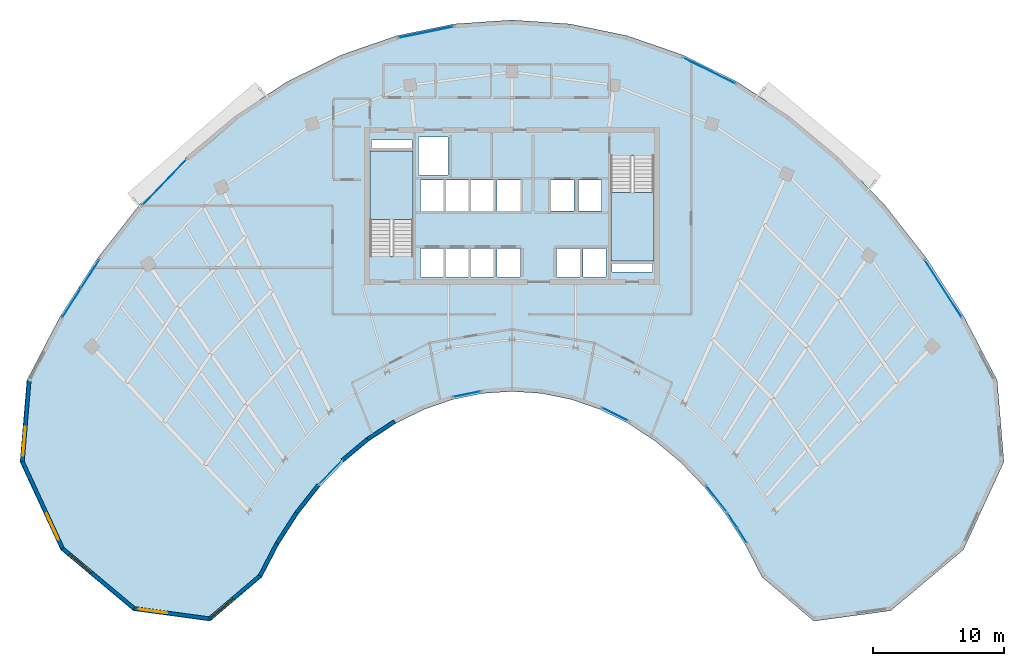
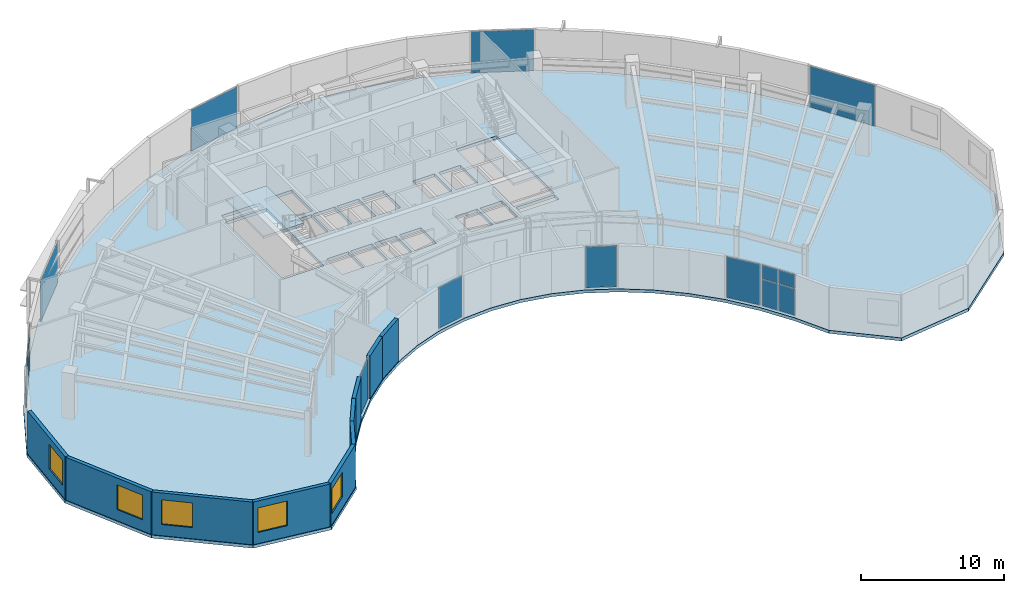
# One storey, part 7 of 13: 16 plates, 10 walls, 5 windows, 3 slabs, 5 openings, 12 elements without a shape of their own.
"""IFC4 building model written with IfcOpenShell, lengths in metres."""

from ifc_helpers import new_model, si_unit, direction, frame, frame_2d, origin, origin_2d, place, context, subcontext, project, spatial, polyline, rectangle, outline, extrude, source, transform, mapped, material, layer, layer_set, type_object, type_shapes, element, fill, aggregate, save


model = new_model("IFC4")

# Units and contexts
model_context = context("Model", 3, precision=1e-05, world=origin(), true_north=direction((0.0, 1.0)))
body_context = subcontext(model_context, "Body", "Model", "MODEL_VIEW")
ifc_project = project(units=[si_unit("LENGTHUNIT", "METRE"), si_unit("AREAUNIT", "SQUARE_METRE"), si_unit("VOLUMEUNIT", "CUBIC_METRE"), si_unit("PLANEANGLEUNIT", "RADIAN"), si_unit("MASSUNIT", "GRAM", prefix="KILO")], contexts=[model_context])

# Site, building, storey
site_placement = place(None, origin())
site = spatial("IfcSite", under=ifc_project, at=site_placement, CompositionType="ELEMENT")
building_placement = place(site_placement, origin())
building = spatial("IfcBuilding", under=site, at=building_placement, Name="Breltana Convention Tower", CompositionType="ELEMENT")
storey_placement = place(building_placement, frame((0.0, 0.0, 204.0)))
storey = spatial("IfcBuildingStorey", under=building, at=storey_placement, Name="L49", CompositionType="ELEMENT", Elevation=204.0)

# Stair, slab
ifc_material_1 = material(Name="Concrete C40/50", Category="concrete")
stair_type = type_object("IfcStairType", Name="ST-DOG-1560-R177", PredefinedType="HALF_TURN_STAIR", material=ifc_material_1)
stair_1_placement = place(storey_placement, origin())
stair_1 = element("IfcStair", 1, at=stair_1_placement, inside=storey, type_object=stair_type, Name="L49 Protected Core Exit Stair ST-1", PredefinedType="HALF_TURN_STAIR")
ifc_layer_1 = layer(ifc_material_1, 0.199951171875, Name="Concrete C40/50")
ifc_layer_set_1 = layer_set([ifc_layer_1], Name="Concrete C40/50")
slab_type_1 = type_object("IfcSlabType", Name="SL-STAIR-LANDING-200", PredefinedType="LANDING", material=ifc_layer_set_1)
slab_1_placement = place(storey_placement, frame((0.0, 0.0, 1.75)))
slab_1 = element("IfcSlab", 2, at=slab_1_placement, type_object=slab_type_1, Name="ST-1 landing 1", PredefinedType="LANDING", context=body_context, shape_type="SweptSolid", body=[
    extrude(outline(polyline([(40.469970703125, 65.159912109375), (40.469970703125, 70.39990234375), (37.199951171875, 70.39990234375), (37.199951171875, 65.159912109375), (40.469970703125, 65.159912109375)])), origin(), (0.0, 0.0, 1.0), 0.199951171875),
])
aggregate(stair_1, [slab_1])

stair_2_placement = place(storey_placement, origin())
stair_2 = element("IfcStair", 3, at=stair_2_placement, inside=storey, type_object=stair_type, Name="L49 Protected Core Exit Stair ST-2", PredefinedType="HALF_TURN_STAIR")
slab_2_placement = place(storey_placement, frame((0.0, 0.0, 1.75)))
slab_2 = element("IfcSlab", 4, at=slab_2_placement, type_object=slab_type_1, Name="ST-2 landing 1", PredefinedType="LANDING", context=body_context, shape_type="SweptSolid", body=[
    extrude(outline(polyline([(55.530029296875, 67.239990234375), (55.530029296875, 62.0), (58.800048828125, 62.0), (58.800048828125, 67.239990234375), (55.530029296875, 67.239990234375)])), origin(), (0.0, 0.0, 1.0), 0.199951171875),
])
aggregate(stair_2, [slab_2])

# Slab
ifc_layer_2 = layer(ifc_material_1, 0.260009765625, Name="Concrete C40/50")
ifc_layer_set_2 = layer_set([ifc_layer_2], Name="Concrete C40/50")
slab_type_2 = type_object("IfcSlabType", Name="SL-UPP-260", PredefinedType="FLOOR", material=ifc_layer_set_2)
slab_3_placement = place(storey_placement, frame((0.0, 0.0, -0.260009765625)))
element("IfcSlab", 5, at=slab_3_placement, inside=storey, type_object=slab_type_2, Name="L49 Suspended Structural Floor Slab", PredefinedType="FLOOR", context=body_context, shape_type="SweptSolid", body=[
    extrude(outline(polyline([(84.9326171875, 52.924560546875), (82.411376953125, 57.767333984375), (79.53759765625, 62.244140625), (76.34130859375, 66.308837890625), (72.8544921875, 69.919921875), (69.113525390625, 73.040283203125), (65.15625, 75.637939453125), (61.023193359375, 77.6865234375), (56.7568359375, 79.1650390625), (52.40087890625, 80.058349609375), (48.0, 80.35693359375), (43.59912109375, 80.058349609375), (39.2431640625, 79.1650390625), (34.976806640625, 77.6865234375), (30.84375, 75.637939453125), (26.886474609375, 73.040283203125), (23.1455078125, 69.919921875), (19.65869140625, 66.308837890625), (16.46240234375, 62.244140625), (13.588623046875, 57.767333984375), (11.0673828125, 52.924560546875), (10.548583984375, 46.716796875), (13.645263671875, 40.0185546875), (19.1748046875, 35.388427734375), (25.02490234375, 34.59521484375), (28.961181640625, 37.941650390625), (30.260986328125, 40.43798828125), (31.7421875, 42.745849609375), (33.39013671875, 44.84130859375), (35.1875, 46.70263671875), (37.115966796875, 48.311279296875), (39.156005859375, 49.650390625), (41.28662109375, 50.706298828125), (43.48583984375, 51.468505859375), (45.731201171875, 51.928955078125), (48.0, 52.0830078125), (50.268798828125, 51.928955078125), (52.51416015625, 51.468505859375), (54.71337890625, 50.706298828125), (56.843994140625, 49.650390625), (58.884033203125, 48.311279296875), (60.8125, 46.70263671875), (62.60986328125, 44.84130859375), (64.2578125, 42.745849609375), (65.739013671875, 40.43798828125), (67.038818359375, 37.941650390625), (70.97509765625, 34.59521484375), (76.8251953125, 35.388427734375), (82.354736328125, 40.0185546875), (85.451416015625, 46.716796875), (84.9326171875, 52.924560546875)]), holes=[polyline([(37.199951171875, 62.385009765625), (40.469970703125, 62.385009765625), (40.469970703125, 70.39990234375), (37.199951171875, 70.39990234375), (37.199951171875, 62.385009765625)]), polyline([(55.530029296875, 62.0), (58.800048828125, 62.0), (58.800048828125, 70.014892578125), (55.530029296875, 70.014892578125), (55.530029296875, 62.0)]), polyline([(41.0400390625, 60.800048828125), (42.800048828125, 60.800048828125), (42.800048828125, 62.97998046875), (41.0400390625, 62.97998046875), (41.0400390625, 60.800048828125)]), polyline([(42.93994140625, 60.800048828125), (44.699951171875, 60.800048828125), (44.699951171875, 62.97998046875), (42.93994140625, 62.97998046875), (42.93994140625, 60.800048828125)]), polyline([(44.8701171875, 60.800048828125), (46.6298828125, 60.800048828125), (46.6298828125, 62.97998046875), (44.8701171875, 62.97998046875), (44.8701171875, 60.800048828125)]), polyline([(46.8701171875, 60.800048828125), (48.6298828125, 60.800048828125), (48.6298828125, 62.97998046875), (46.8701171875, 62.97998046875), (46.8701171875, 60.800048828125)]), polyline([(51.39990234375, 60.800048828125), (53.159912109375, 60.800048828125), (53.159912109375, 62.97998046875), (51.39990234375, 62.97998046875), (51.39990234375, 60.800048828125)]), polyline([(53.39990234375, 60.800048828125), (55.159912109375, 60.800048828125), (55.159912109375, 62.97998046875), (53.39990234375, 62.97998046875), (53.39990234375, 60.800048828125)]), polyline([(41.0400390625, 65.820068359375), (42.800048828125, 65.820068359375), (42.800048828125, 68.179931640625), (41.0400390625, 68.179931640625), (41.0400390625, 65.820068359375)]), polyline([(42.93994140625, 65.820068359375), (44.699951171875, 65.820068359375), (44.699951171875, 68.179931640625), (42.93994140625, 68.179931640625), (42.93994140625, 65.820068359375)]), polyline([(44.8701171875, 65.820068359375), (46.6298828125, 65.820068359375), (46.6298828125, 68.179931640625), (44.8701171875, 68.179931640625), (44.8701171875, 65.820068359375)]), polyline([(46.8701171875, 65.820068359375), (48.6298828125, 65.820068359375), (48.6298828125, 68.179931640625), (46.8701171875, 68.179931640625), (46.8701171875, 65.820068359375)]), polyline([(50.969970703125, 65.800048828125), (52.72998046875, 65.800048828125), (52.72998046875, 68.179931640625), (50.969970703125, 68.179931640625), (50.969970703125, 65.800048828125)]), polyline([(53.070068359375, 65.800048828125), (54.830078125, 65.800048828125), (54.830078125, 68.179931640625), (53.070068359375, 68.179931640625), (53.070068359375, 65.800048828125)]), polyline([(40.8798828125, 68.550048828125), (43.1201171875, 68.550048828125), (43.1201171875, 71.449951171875), (40.8798828125, 71.449951171875), (40.8798828125, 68.550048828125)]), polyline([(37.300048828125, 70.60009765625), (40.3798828125, 70.60009765625), (40.3798828125, 71.219970703125), (37.300048828125, 71.219970703125), (37.300048828125, 70.60009765625)]), polyline([(55.6201171875, 61.179931640625), (58.699951171875, 61.179931640625), (58.699951171875, 61.800048828125), (55.6201171875, 61.800048828125), (55.6201171875, 61.179931640625)])]), origin(), (0.0, 0.0, 1.0), 0.260009765625),
])

# Curtain wall, plates
ifc_material_2 = material(Name="Aluminium Anodised Bronze Frame", Category="aluminium")
ifc_layer_3 = layer(ifc_material_2, 0.18994140625, Name="Aluminium Anodised Bronze Frame")
ifc_layer_set_3 = layer_set([ifc_layer_3], Name="Aluminium Anodised Bronze Frame")
curtain_wall_type_1 = type_object("IfcCurtainWallType", Name="CW-SYS-1", PredefinedType="NOTDEFINED", material=ifc_layer_set_3)
curtain_wall_1_placement = place(storey_placement, origin())
curtain_wall_1 = element("IfcCurtainWall", 6, at=curtain_wall_1_placement, inside=storey, type_object=curtain_wall_type_1, Name="L49 inner south-court glazing 1", PredefinedType="NOTDEFINED")
ifc_material_3 = material(Name="Glass Low-E Double Glazing", Category="glass")
ifc_layer_4 = layer(ifc_material_3, 0.028076171875, Name="Glass Low-E Double Glazing")
ifc_layer_set_4 = layer_set([ifc_layer_4], Name="Glass Low-E Double Glazing")
plate_type = type_object("IfcPlateType", Name="CWP-IGU-28", PredefinedType="CURTAIN_PANEL", material=ifc_layer_set_4)
shared_shape_1 = source(origin(), body_context, "Body", "SweptSolid", [
    extrude(rectangle(XDim=1.251220703125, YDim=0.028076171875, at=origin_2d()), origin(), (0.0, 0.0, 1.0), 2.24609375),
])
plate_1_placement = place(storey_placement, frame((65.50927734375, 41.129150390625, 0.079833984375), z_axis=(0.0, 0.0, 1.0), x_axis=(-0.540184263938, 0.841546766968, 0.0)))
plate_1 = element("IfcPlate", 7, at=plate_1_placement, type_object=plate_type, Name="CW-01 panel 1.1", PredefinedType="CURTAIN_PANEL", context=body_context, shape_type="MappedRepresentation", body=[
    mapped(shared_shape_1, transform((0.0, 0.0, 0.0), scale=1.0)),
])
plate_2_placement = place(storey_placement, frame((64.790283203125, 42.249267578125, 0.079833984375), z_axis=(0.0, 0.0, 1.0), x_axis=(-0.540184263938, 0.841546766968, 0.0)))
plate_2 = element("IfcPlate", 8, at=plate_2_placement, type_object=plate_type, Name="CW-01 panel 2.1", PredefinedType="CURTAIN_PANEL", context=body_context, shape_type="MappedRepresentation", body=[
    mapped(shared_shape_1, transform((0.0, 0.0, 0.0), scale=1.0)),
])
shared_shape_2 = source(origin(), body_context, "Body", "SweptSolid", [
    extrude(rectangle(XDim=1.251220703125, YDim=0.028076171875, at=origin_2d()), origin(), (0.0, 0.0, 1.0), 1.154052734375),
])
plate_3_placement = place(storey_placement, frame((65.50927734375, 41.129150390625, 2.40576171875), z_axis=(0.0, 0.0, 1.0), x_axis=(-0.540184263938, 0.841546766968, 0.0)))
plate_3 = element("IfcPlate", 9, at=plate_3_placement, type_object=plate_type, Name="CW-01 panel 1.2", PredefinedType="CURTAIN_PANEL", context=body_context, shape_type="MappedRepresentation", body=[
    mapped(shared_shape_2, transform((0.0, 0.0, 0.0), scale=1.0)),
])
plate_4_placement = place(storey_placement, frame((64.790283203125, 42.249267578125, 2.40576171875), z_axis=(0.0, 0.0, 1.0), x_axis=(-0.540184263938, 0.841546766968, 0.0)))
plate_4 = element("IfcPlate", 10, at=plate_4_placement, type_object=plate_type, Name="CW-01 panel 2.2", PredefinedType="CURTAIN_PANEL", context=body_context, shape_type="MappedRepresentation", body=[
    mapped(shared_shape_2, transform((0.0, 0.0, 0.0), scale=1.0)),
])
aggregate(curtain_wall_1, [plate_1, plate_3, plate_2, plate_4])

# Curtain wall, plate
curtain_wall_2_placement = place(storey_placement, origin())
curtain_wall_2 = element("IfcCurtainWall", 11, at=curtain_wall_2_placement, inside=storey, type_object=curtain_wall_type_1, Name="L49 inner south-court glazing 2", PredefinedType="NOTDEFINED")
shared_shape_3 = source(origin(), body_context, "Body", "SweptSolid", [
    extrude(rectangle(XDim=2.505615234375, YDim=0.028076171875, at=origin_2d()), origin(), (0.0, 0.0, 1.0), 3.47998046875),
])
plate_5_placement = place(storey_placement, frame((63.5751953125, 43.90478515625, 0.080078125), z_axis=(0.0, 0.0, 1.0), x_axis=(-0.6181495353, 0.786060526937, 0.0)))
plate_5 = element("IfcPlate", 12, at=plate_5_placement, type_object=plate_type, Name="CW-01 panel 1.1", PredefinedType="CURTAIN_PANEL", context=body_context, shape_type="MappedRepresentation", body=[
    mapped(shared_shape_3, transform((0.0, 0.0, 0.0), scale=1.0)),
])
aggregate(curtain_wall_2, [plate_5])

curtain_wall_3_placement = place(storey_placement, origin())
curtain_wall_3 = element("IfcCurtainWall", 13, at=curtain_wall_3_placement, inside=storey, type_object=curtain_wall_type_1, Name="L49 inner south-court glazing 3", PredefinedType="NOTDEFINED")
shared_shape_4 = source(origin(), body_context, "Body", "SweptSolid", [
    extrude(rectangle(XDim=2.2177734375, YDim=0.028076171875, at=origin_2d()), origin(), (0.0, 0.0, 1.0), 3.47998046875),
])
plate_6_placement = place(storey_placement, frame((55.858642578125, 50.339599609375, 0.080078125), z_axis=(0.0, 0.0, 1.0), x_axis=(-0.89596107102, 0.444132591932, 0.0)))
plate_6 = element("IfcPlate", 14, at=plate_6_placement, type_object=plate_type, Name="CW-01 panel 1.1", PredefinedType="CURTAIN_PANEL", context=body_context, shape_type="MappedRepresentation", body=[
    mapped(shared_shape_4, transform((0.0, 0.0, 0.0), scale=1.0)),
])
aggregate(curtain_wall_3, [plate_6])

curtain_wall_4_placement = place(storey_placement, origin())
curtain_wall_4 = element("IfcCurtainWall", 15, at=curtain_wall_4_placement, inside=storey, type_object=curtain_wall_type_1, Name="L49 inner south-court glazing 4", PredefinedType="NOTDEFINED")
shared_shape_5 = source(origin(), body_context, "Body", "SweptSolid", [
    extrude(rectangle(XDim=2.13232421875, YDim=0.028076171875, at=origin_2d()), origin(), (0.0, 0.0, 1.0), 3.47998046875),
])
plate_7_placement = place(storey_placement, frame((44.572265625, 51.875, 0.080078125), z_axis=(0.0, 0.0, 1.0), x_axis=(-0.979621192803, -0.200853973352, 0.0)))
plate_7 = element("IfcPlate", 16, at=plate_7_placement, type_object=plate_type, Name="CW-01 panel 1.1", PredefinedType="CURTAIN_PANEL", context=body_context, shape_type="MappedRepresentation", body=[
    mapped(shared_shape_5, transform((0.0, 0.0, 0.0), scale=1.0)),
])
aggregate(curtain_wall_4, [plate_7])

curtain_wall_5_placement = place(storey_placement, origin())
curtain_wall_5 = element("IfcCurtainWall", 17, at=curtain_wall_5_placement, inside=storey, type_object=curtain_wall_type_1, Name="L49 inner south-court glazing 5", PredefinedType="NOTDEFINED")
shared_shape_6 = source(origin(), body_context, "Body", "SweptSolid", [
    extrude(rectangle(XDim=2.427490234375, YDim=0.028076171875, at=origin_2d()), origin(), (0.0, 0.0, 1.0), 3.47998046875),
])
plate_8_placement = place(storey_placement, frame((34.1591796875, 45.89697265625, 0.080078125), z_axis=(0.0, 0.0, 1.0), x_axis=(-0.694631756079, -0.719365500595, 0.0)))
plate_8 = element("IfcPlate", 18, at=plate_8_placement, type_object=plate_type, Name="CW-01 panel 1.1", PredefinedType="CURTAIN_PANEL", context=body_context, shape_type="MappedRepresentation", body=[
    mapped(shared_shape_6, transform((0.0, 0.0, 0.0), scale=1.0)),
])
aggregate(curtain_wall_5, [plate_8])

# Curtain wall, plates
ifc_layer_5 = layer(ifc_material_2, 0.219970703125, Name="Aluminium Anodised Bronze Frame")
ifc_layer_set_5 = layer_set([ifc_layer_5], Name="Aluminium Anodised Bronze Frame")
curtain_wall_type_2 = type_object("IfcCurtainWallType", Name="CW-SYS-4", PredefinedType="NOTDEFINED", material=ifc_layer_set_5)
curtain_wall_6_placement = place(storey_placement, origin())
curtain_wall_6 = element("IfcCurtainWall", 19, at=curtain_wall_6_placement, inside=storey, type_object=curtain_wall_type_2, Name="L49 outer double-skin inner glazing 1", PredefinedType="NOTDEFINED")
shared_shape_7 = source(origin(), body_context, "Body", "SweptSolid", [
    extrude(rectangle(XDim=2.531494140625, YDim=0.028076171875, at=origin_2d()), origin(), (0.0, 0.0, 1.0), 2.260986328125),
])
plate_9_placement = place(storey_placement, frame((14.471435546875, 58.8095703125, 0.06982421875), z_axis=(0.0, 0.0, 1.0), x_axis=(0.540181791075, 0.84154835428, 0.0)))
plate_9 = element("IfcPlate", 20, at=plate_9_placement, type_object=plate_type, Name="CW-04 panel 1.1", PredefinedType="CURTAIN_PANEL", context=body_context, shape_type="MappedRepresentation", body=[
    mapped(shared_shape_7, transform((0.0, 0.0, 0.0), scale=1.0)),
])
plate_10_placement = place(storey_placement, frame((15.882080078125, 61.007080078125, 0.06982421875), z_axis=(0.0, 0.0, 1.0), x_axis=(0.540181791075, 0.84154835428, 0.0)))
plate_10 = element("IfcPlate", 21, at=plate_10_placement, type_object=plate_type, Name="CW-04 panel 2.1", PredefinedType="CURTAIN_PANEL", context=body_context, shape_type="MappedRepresentation", body=[
    mapped(shared_shape_7, transform((0.0, 0.0, 0.0), scale=1.0)),
])
shared_shape_8 = source(origin(), body_context, "Body", "SweptSolid", [
    extrude(rectangle(XDim=2.531494140625, YDim=0.028076171875, at=origin_2d()), origin(), (0.0, 0.0, 1.0), 1.1689453125),
])
plate_11_placement = place(storey_placement, frame((14.471435546875, 58.8095703125, 2.401123046875), z_axis=(0.0, 0.0, 1.0), x_axis=(0.540181791075, 0.84154835428, 0.0)))
plate_11 = element("IfcPlate", 22, at=plate_11_placement, type_object=plate_type, Name="CW-04 panel 1.2", PredefinedType="CURTAIN_PANEL", context=body_context, shape_type="MappedRepresentation", body=[
    mapped(shared_shape_8, transform((0.0, 0.0, 0.0), scale=1.0)),
])
plate_12_placement = place(storey_placement, frame((15.882080078125, 61.007080078125, 2.401123046875), z_axis=(0.0, 0.0, 1.0), x_axis=(0.540181791075, 0.84154835428, 0.0)))
plate_12 = element("IfcPlate", 23, at=plate_12_placement, type_object=plate_type, Name="CW-04 panel 2.2", PredefinedType="CURTAIN_PANEL", context=body_context, shape_type="MappedRepresentation", body=[
    mapped(shared_shape_8, transform((0.0, 0.0, 0.0), scale=1.0)),
])
aggregate(curtain_wall_6, [plate_9, plate_11, plate_10, plate_12])

# Curtain wall, plate
curtain_wall_7_placement = place(storey_placement, origin())
curtain_wall_7 = element("IfcCurtainWall", 24, at=curtain_wall_7_placement, inside=storey, type_object=curtain_wall_type_2, Name="L49 outer double-skin inner glazing 2", PredefinedType="NOTDEFINED")
shared_shape_9 = source(origin(), body_context, "Body", "SweptSolid", [
    extrude(rectangle(XDim=4.8408203125, YDim=0.028076171875, at=origin_2d()), origin(), (0.0, 0.0, 1.0), 3.5),
])
plate_13_placement = place(storey_placement, frame((21.53125, 67.989013671875, 0.070068359375), z_axis=(0.0, 0.0, 1.0), x_axis=(0.694599866751, 0.719396292115, 0.0)))
plate_13 = element("IfcPlate", 25, at=plate_13_placement, type_object=plate_type, Name="CW-04 panel 1.1", PredefinedType="CURTAIN_PANEL", context=body_context, shape_type="MappedRepresentation", body=[
    mapped(shared_shape_9, transform((0.0, 0.0, 0.0), scale=1.0)),
])
aggregate(curtain_wall_7, [plate_13])

curtain_wall_8_placement = place(storey_placement, origin())
curtain_wall_8 = element("IfcCurtainWall", 26, at=curtain_wall_8_placement, inside=storey, type_object=curtain_wall_type_2, Name="L49 outer double-skin inner glazing 3", PredefinedType="NOTDEFINED")
shared_shape_10 = source(origin(), body_context, "Body", "SweptSolid", [
    extrude(rectangle(XDim=4.262451171875, YDim=0.028076171875, at=origin_2d()), origin(), (0.0, 0.0, 1.0), 3.5),
])
plate_14_placement = place(storey_placement, frame((41.45703125, 79.435302734375, 0.070068359375), z_axis=(0.0, 0.0, 1.0), x_axis=(0.979615937236, 0.200879604523, 0.0)))
plate_14 = element("IfcPlate", 27, at=plate_14_placement, type_object=plate_type, Name="CW-04 panel 1.1", PredefinedType="CURTAIN_PANEL", context=body_context, shape_type="MappedRepresentation", body=[
    mapped(shared_shape_10, transform((0.0, 0.0, 0.0), scale=1.0)),
])
aggregate(curtain_wall_8, [plate_14])

curtain_wall_9_placement = place(storey_placement, origin())
curtain_wall_9 = element("IfcCurtainWall", 28, at=curtain_wall_9_placement, inside=storey, type_object=curtain_wall_type_2, Name="L49 outer double-skin inner glazing 4", PredefinedType="NOTDEFINED")
shared_shape_11 = source(origin(), body_context, "Body", "SweptSolid", [
    extrude(rectangle(XDim=4.430419921875, YDim=0.028076171875, at=origin_2d()), origin(), (0.0, 0.0, 1.0), 3.5),
])
plate_15_placement = place(storey_placement, frame((63.010009765625, 76.5009765625, 0.070068359375), z_axis=(0.0, 0.0, 1.0), x_axis=(0.895972827235, -0.444108875003, 0.0)))
plate_15 = element("IfcPlate", 29, at=plate_15_placement, type_object=plate_type, Name="CW-04 panel 1.1", PredefinedType="CURTAIN_PANEL", context=body_context, shape_type="MappedRepresentation", body=[
    mapped(shared_shape_11, transform((0.0, 0.0, 0.0), scale=1.0)),
])
aggregate(curtain_wall_9, [plate_15])

curtain_wall_10_placement = place(storey_placement, origin())
curtain_wall_10 = element("IfcCurtainWall", 30, at=curtain_wall_10_placement, inside=storey, type_object=curtain_wall_type_2, Name="L49 outer double-skin inner glazing 5", PredefinedType="NOTDEFINED")
shared_shape_12 = source(origin(), body_context, "Body", "SweptSolid", [
    extrude(rectangle(XDim=5.142822265625, YDim=0.028076171875, at=origin_2d()), origin(), (0.0, 0.0, 1.0), 3.5),
])
plate_16_placement = place(storey_placement, frame((80.8232421875, 59.908203125, 0.070068359375), z_axis=(0.0, 0.0, 1.0), x_axis=(0.540181791075, -0.84154835428, 0.0)))
plate_16 = element("IfcPlate", 31, at=plate_16_placement, type_object=plate_type, Name="CW-04 panel 1.1", PredefinedType="CURTAIN_PANEL", context=body_context, shape_type="MappedRepresentation", body=[
    mapped(shared_shape_12, transform((0.0, 0.0, 0.0), scale=1.0)),
])
aggregate(curtain_wall_10, [plate_16])

# Wall, opening, window
ifc_material_4 = material(Name="Limestone Buff Insulated Wall", Category="masonry")
ifc_layer_6 = layer(ifc_material_4, 0.280029296875, Name="Limestone Buff Insulated Wall")
ifc_layer_set_6 = layer_set([ifc_layer_6], Name="Limestone Buff Insulated Wall")
wall_type = type_object("IfcWallType", Name="WL-EXT-NOSE-280", PredefinedType="SOLIDWALL", material=ifc_layer_set_6)
shared_shape_13 = source(origin(), body_context, "Body", "SweptSolid", [
    extrude(rectangle(XDim=6.145751953125, YDim=0.280029296875, at=frame_2d((3.07275390625, 0.0))), origin(), (0.0, 0.0, 1.0), 3.639892578125),
])
wall_1_placement = place(storey_placement, frame((10.73193359375, 46.7490234375, 0.0), z_axis=(0.0, 0.0, 1.0), x_axis=(0.083301904456, 0.996524356307, 0.0)))
wall_1 = element("IfcWall", 32, at=wall_1_placement, inside=storey, type_object=wall_type, Name="L49 curved limestone nose wall W6", PredefinedType="SOLIDWALL", context=body_context, shape_type="MappedRepresentation", body=[
    mapped(shared_shape_13, transform((0.0, 0.0, 0.0), scale=1.0)),
])
opening_1_placement = place(wall_1_placement, frame((0.436279296875, 0.0, 0.949951171875)))
opening_1 = element("IfcOpeningElement", 33, at=opening_1_placement, cuts=wall_1, Name="Opening W-03", PredefinedType="OPENING", context=body_context, shape_type="SweptSolid", body=[
    extrude(rectangle(XDim=2.199951171875, YDim=2.10009765625, at=frame_2d((1.10009765625, 1.050048828125))), frame((0.0, 0.14990234375, 0.0), z_axis=(0.0, -1.0, 0.0), x_axis=(1.0, 0.0, 0.0)), (0.0, 0.0, 1.0), 0.300048828125),
])
ifc_material_5 = material(Name="Glass Low-E Insulated Window", Category="glass")
window_type = type_object("IfcWindowType", Name="WN-NOSE-2200X2100", PartitioningType="TRIPLE_PANEL_VERTICAL", PredefinedType="WINDOW", material=ifc_material_5)
shared_shape_14 = source(origin(), body_context, "Body", "SweptSolid", [
    extrude(rectangle(XDim=2.199951171875, YDim=2.10009765625, at=frame_2d((1.10009765625, 1.050048828125))), frame((0.0, 0.030029296875, 0.0), z_axis=(0.0, -1.0, 0.0), x_axis=(1.0, 0.0, 0.0)), (0.0, 0.0, 1.0), 0.06005859375),
])
type_shapes(window_type, [shared_shape_14])
window_1_placement = place(opening_1_placement, origin())
window_1 = element("IfcWindow", 34, at=window_1_placement, inside=storey, type_object=window_type, Name="L49 nose window W6", OverallHeight=2.10009765625, OverallWidth=2.199951171875, PartitioningType="TRIPLE_PANEL_VERTICAL", PredefinedType="WINDOW", context=body_context, shape_type="MappedRepresentation", body=[
    mapped(shared_shape_14, transform((0.0, 0.0, 0.0), scale=1.0)),
])
fill(opening_1, window_1)

shared_shape_15 = source(origin(), body_context, "Body", "SweptSolid", [
    extrude(rectangle(XDim=7.29150390625, YDim=0.280029296875, at=frame_2d((3.645751953125, 0.0))), origin(), (0.0, 0.0, 1.0), 3.639892578125),
])
wall_2_placement = place(storey_placement, frame((13.791748046875, 40.130615234375, 0.0), z_axis=(0.0, 0.0, 1.0), x_axis=(-0.419642001049, 0.907689699708, 0.0)))
wall_2 = element("IfcWall", 35, at=wall_2_placement, inside=storey, type_object=wall_type, Name="L49 curved limestone nose wall W5", PredefinedType="SOLIDWALL", context=body_context, shape_type="MappedRepresentation", body=[
    mapped(shared_shape_15, transform((0.0, 0.0, 0.0), scale=1.0)),
])
opening_2_placement = place(wall_2_placement, frame((0.722900390625, 0.0, 0.949951171875)))
opening_2 = element("IfcOpeningElement", 36, at=opening_2_placement, cuts=wall_2, Name="Opening W-03", PredefinedType="OPENING", context=body_context, shape_type="SweptSolid", body=[
    extrude(rectangle(XDim=2.199951171875, YDim=2.10009765625, at=frame_2d((1.10009765625, 1.050048828125))), frame((0.0, 0.14990234375, 0.0), z_axis=(0.0, -1.0, 0.0), x_axis=(1.0, 0.0, 0.0)), (0.0, 0.0, 1.0), 0.300048828125),
])
window_2_placement = place(opening_2_placement, origin())
window_2 = element("IfcWindow", 37, at=window_2_placement, inside=storey, type_object=window_type, Name="L49 nose window W5", OverallHeight=2.10009765625, OverallWidth=2.199951171875, PartitioningType="TRIPLE_PANEL_VERTICAL", PredefinedType="WINDOW", context=body_context, shape_type="MappedRepresentation", body=[
    mapped(shared_shape_14, transform((0.0, 0.0, 0.0), scale=1.0)),
])
fill(opening_2, window_2)

shared_shape_16 = source(origin(), body_context, "Body", "SweptSolid", [
    extrude(rectangle(XDim=7.11962890625, YDim=0.280029296875, at=frame_2d((3.559814453125, 0.0))), origin(), (0.0, 0.0, 1.0), 3.639892578125),
])
wall_3_placement = place(storey_placement, frame((19.25048828125, 35.559814453125, 0.0), z_axis=(0.0, 0.0, 1.0), x_axis=(-0.766709783564, 0.641993853387, 0.0)))
wall_3 = element("IfcWall", 38, at=wall_3_placement, inside=storey, type_object=wall_type, Name="L49 curved limestone nose wall W4", PredefinedType="SOLIDWALL", context=body_context, shape_type="MappedRepresentation", body=[
    mapped(shared_shape_16, transform((0.0, 0.0, 0.0), scale=1.0)),
])
opening_3_placement = place(wall_3_placement, frame((4.23974609375, 0.0, 0.949951171875)))
opening_3 = element("IfcOpeningElement", 39, at=opening_3_placement, cuts=wall_3, Name="Opening W-03", PredefinedType="OPENING", context=body_context, shape_type="SweptSolid", body=[
    extrude(rectangle(XDim=2.199951171875, YDim=2.10009765625, at=frame_2d((1.10009765625, 1.050048828125))), frame((0.0, 0.14990234375, 0.0), z_axis=(0.0, -1.0, 0.0), x_axis=(1.0, 0.0, 0.0)), (0.0, 0.0, 1.0), 0.300048828125),
])
window_3_placement = place(opening_3_placement, origin())
window_3 = element("IfcWindow", 40, at=window_3_placement, inside=storey, type_object=window_type, Name="L49 nose window W4", OverallHeight=2.10009765625, OverallWidth=2.199951171875, PartitioningType="TRIPLE_PANEL_VERTICAL", PredefinedType="WINDOW", context=body_context, shape_type="MappedRepresentation", body=[
    mapped(shared_shape_14, transform((0.0, 0.0, 0.0), scale=1.0)),
])
fill(opening_3, window_3)

shared_shape_17 = source(origin(), body_context, "Body", "SweptSolid", [
    extrude(rectangle(XDim=5.771240234375, YDim=0.280029296875, at=frame_2d((2.8857421875, 0.0))), origin(), (0.0, 0.0, 1.0), 3.639892578125),
])
wall_4_placement = place(storey_placement, frame((24.969482421875, 34.784423828125, 0.0), z_axis=(0.0, 0.0, 1.0), x_axis=(-0.990933615537, 0.134352408237, 0.0)))
wall_4 = element("IfcWall", 41, at=wall_4_placement, inside=storey, type_object=wall_type, Name="L49 curved limestone nose wall W3", PredefinedType="SOLIDWALL", context=body_context, shape_type="MappedRepresentation", body=[
    mapped(shared_shape_17, transform((0.0, 0.0, 0.0), scale=1.0)),
])
opening_4_placement = place(wall_4_placement, frame((3.228759765625, 0.0, 0.949951171875)))
opening_4 = element("IfcOpeningElement", 42, at=opening_4_placement, cuts=wall_4, Name="Opening W-03", PredefinedType="OPENING", context=body_context, shape_type="SweptSolid", body=[
    extrude(rectangle(XDim=2.199951171875, YDim=2.10009765625, at=frame_2d((1.10009765625, 1.050048828125))), frame((0.0, 0.14990234375, 0.0), z_axis=(0.0, -1.0, 0.0), x_axis=(1.0, 0.0, 0.0)), (0.0, 0.0, 1.0), 0.300048828125),
])
window_4_placement = place(opening_4_placement, origin())
window_4 = element("IfcWindow", 43, at=window_4_placement, inside=storey, type_object=window_type, Name="L49 nose window W3", OverallHeight=2.10009765625, OverallWidth=2.199951171875, PartitioningType="TRIPLE_PANEL_VERTICAL", PredefinedType="WINDOW", context=body_context, shape_type="MappedRepresentation", body=[
    mapped(shared_shape_14, transform((0.0, 0.0, 0.0), scale=1.0)),
])
fill(opening_4, window_4)

shared_shape_18 = source(origin(), body_context, "Body", "SweptSolid", [
    extrude(rectangle(XDim=5.051025390625, YDim=0.280029296875, at=frame_2d((2.525390625, 0.0))), origin(), (0.0, 0.0, 1.0), 3.639892578125),
])
wall_5_placement = place(storey_placement, frame((28.81787109375, 38.055908203125, 0.0), z_axis=(0.0, 0.0, 1.0), x_axis=(-0.761904731537, -0.647689107568, 0.0)))
wall_5 = element("IfcWall", 44, at=wall_5_placement, inside=storey, type_object=wall_type, Name="L49 curved limestone nose wall W2", PredefinedType="SOLIDWALL", context=body_context, shape_type="MappedRepresentation", body=[
    mapped(shared_shape_18, transform((0.0, 0.0, 0.0), scale=1.0)),
])
opening_5_placement = place(wall_5_placement, frame((2.688232421875, 0.0, 0.949951171875)))
opening_5 = element("IfcOpeningElement", 45, at=opening_5_placement, cuts=wall_5, Name="Opening W-03", PredefinedType="OPENING", context=body_context, shape_type="SweptSolid", body=[
    extrude(rectangle(XDim=2.199951171875, YDim=2.10009765625, at=frame_2d((1.10009765625, 1.050048828125))), frame((0.0, 0.14990234375, 0.0), z_axis=(0.0, -1.0, 0.0), x_axis=(1.0, 0.0, 0.0)), (0.0, 0.0, 1.0), 0.300048828125),
])
window_5_placement = place(opening_5_placement, origin())
window_5 = element("IfcWindow", 46, at=window_5_placement, inside=storey, type_object=window_type, Name="L49 nose window W2", OverallHeight=2.10009765625, OverallWidth=2.199951171875, PartitioningType="TRIPLE_PANEL_VERTICAL", PredefinedType="WINDOW", context=body_context, shape_type="MappedRepresentation", body=[
    mapped(shared_shape_14, transform((0.0, 0.0, 0.0), scale=1.0)),
])
fill(opening_5, window_5)

# Walls
shared_shape_19 = source(origin(), body_context, "Body", "SweptSolid", [
    extrude(rectangle(XDim=2.779296875, YDim=0.280029296875, at=frame_2d((1.3896484375, 0.0))), origin(), (0.0, 0.0, 1.0), 3.639892578125),
])
wall_6_placement = place(storey_placement, frame((30.101318359375, 40.521240234375, 0.0), z_axis=(0.0, 0.0, 1.0), x_axis=(-0.461770308601, -0.886999538948, 0.0)))
element("IfcWall", 47, at=wall_6_placement, inside=storey, type_object=wall_type, Name="L49 curved limestone nose wall W1", PredefinedType="SOLIDWALL", context=body_context, shape_type="MappedRepresentation", body=[
    mapped(shared_shape_19, transform((0.0, 0.0, 0.0), scale=1.0)),
])
shared_shape_20 = source(origin(), body_context, "Body", "SweptSolid", [
    extrude(rectangle(XDim=2.51123046875, YDim=0.280029296875, at=frame_2d((1.255615234375, 0.0))), origin(), (0.0, 0.0, 1.0), 3.639892578125),
])
wall_7_placement = place(storey_placement, frame((37.000732421875, 48.449462890625, 0.0), z_axis=(0.0, 0.0, 1.0), x_axis=(-0.767910416122, -0.640557251782, 0.0)))
element("IfcWall", 48, at=wall_7_placement, inside=storey, type_object=wall_type, Name="L49 curved limestone nose wall E17", PredefinedType="SOLIDWALL", context=body_context, shape_type="MappedRepresentation", body=[
    mapped(shared_shape_20, transform((0.0, 0.0, 0.0), scale=1.0)),
])
shared_shape_21 = source(origin(), body_context, "Body", "SweptSolid", [
    extrude(rectangle(XDim=2.440185546875, YDim=0.280029296875, at=frame_2d((1.22021484375, 0.0))), origin(), (0.0, 0.0, 1.0), 3.639892578125),
])
wall_8_placement = place(storey_placement, frame((39.05712890625, 49.80078125, 0.0), z_axis=(0.0, 0.0, 1.0), x_axis=(-0.83598480459, -0.548752591333, 0.0)))
element("IfcWall", 49, at=wall_8_placement, inside=storey, type_object=wall_type, Name="L49 curved limestone nose wall E16", PredefinedType="SOLIDWALL", context=body_context, shape_type="MappedRepresentation", body=[
    mapped(shared_shape_21, transform((0.0, 0.0, 0.0), scale=1.0)),
])
shared_shape_22 = source(origin(), body_context, "Body", "SweptSolid", [
    extrude(rectangle(XDim=2.66552734375, YDim=0.280029296875, at=frame_2d((1.332763671875, 0.0))), origin(), (0.0, 0.0, 1.0), 3.639892578125),
])
wall_9_placement = place(storey_placement, frame((33.24853515625, 44.952392578125, 0.0), z_axis=(0.0, 0.0, 1.0), x_axis=(-0.618161284122, -0.786051287648, 0.0)))
element("IfcWall", 50, at=wall_9_placement, inside=storey, type_object=wall_type, Name="L49 curved limestone nose wall E18", PredefinedType="SOLIDWALL", context=body_context, shape_type="MappedRepresentation", body=[
    mapped(shared_shape_22, transform((0.0, 0.0, 0.0), scale=1.0)),
])
shared_shape_23 = source(origin(), body_context, "Body", "SweptSolid", [
    extrude(rectangle(XDim=2.7421875, YDim=0.280029296875, at=frame_2d((1.37109375, 0.0))), origin(), (0.0, 0.0, 1.0), 3.639892578125),
])
wall_10_placement = place(storey_placement, frame((31.5908203125, 42.843017578125, 0.0), z_axis=(0.0, 0.0, 1.0), x_axis=(-0.540172468355, -0.841554338371, 0.0)))
element("IfcWall", 51, at=wall_10_placement, inside=storey, type_object=wall_type, Name="L49 curved limestone nose wall E19", PredefinedType="SOLIDWALL", context=body_context, shape_type="MappedRepresentation", body=[
    mapped(shared_shape_23, transform((0.0, 0.0, 0.0), scale=1.0)),
])

save(model, "model.ifc")
